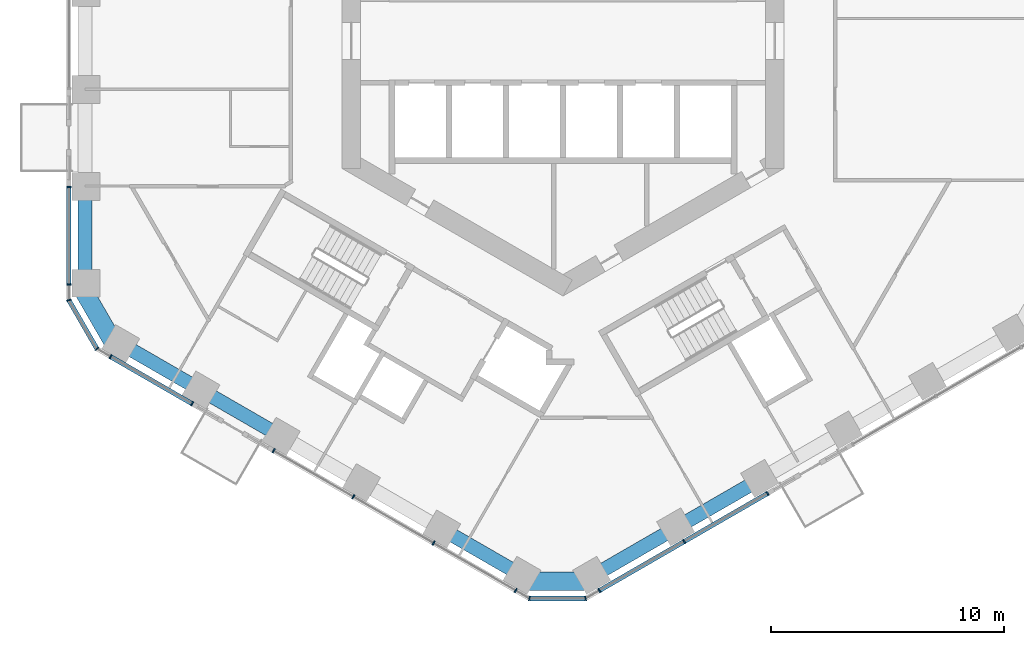
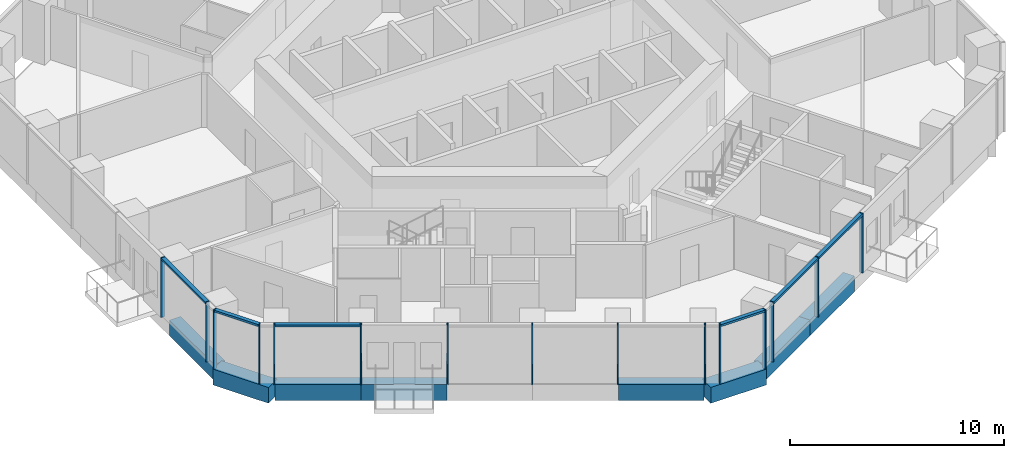
# One storey, part 2 of 19: 20 members, 8 beams, 6 elements without a shape of their own.
"""IFC4 building model written with IfcOpenShell, lengths in metres."""

from ifc_helpers import new_model, si_unit, direction, frame, origin, origin_2d, place, context, subcontext, project, spatial, rectangle, extrude, material, layer, layer_set, material_profile, profile_set, type_object, element, aggregate, save


model = new_model("IFC4")

# Units and contexts
model_context = context("Model", 3, precision=1e-05, world=origin(), true_north=direction((0.0, 1.0)))
body_context = subcontext(model_context, "Body", "Model", "MODEL_VIEW")
ifc_project = project(units=[si_unit("LENGTHUNIT", "METRE"), si_unit("AREAUNIT", "SQUARE_METRE"), si_unit("VOLUMEUNIT", "CUBIC_METRE"), si_unit("PLANEANGLEUNIT", "RADIAN"), si_unit("MASSUNIT", "GRAM", prefix="KILO")], contexts=[model_context])

# Site, building, storey
site_placement = place(None, origin())
site = spatial("IfcSite", under=ifc_project, at=site_placement, CompositionType="ELEMENT")
building_placement = place(site_placement, origin())
building = spatial("IfcBuilding", under=site, at=building_placement, Name="Ayvan Gate Tower", CompositionType="ELEMENT")
storey_placement = place(building_placement, frame((0.0, 0.0, 39.10009765625)))
storey = spatial("IfcBuildingStorey", under=building, at=storey_placement, Name="L09", CompositionType="ELEMENT", Elevation=39.10009765625)

# Beams
ifc_material_1 = material(Name="Concrete C40/50", Category="concrete")
ifc_material_profile_1 = material_profile(ifc_material_1, rectangle(XDim=0.800048828125, YDim=0.89990234375, at=origin_2d()), Name="RC 800x900")
ifc_profile_set_1 = profile_set([ifc_material_profile_1], Name="Concrete C40/50")
beam_type_1 = type_object("IfcBeamType", Name="Corner spandrel beam RC 800x900 C40/50", PredefinedType="BEAM", material=ifc_profile_set_1)
for number, where, z_axis, x_axis, name in (
    (1, (-20.751708984375, -10.5068359375, -0.800048828125), (0.499990139034, -0.866031096941, 0.0), (0.866031096941, 0.499990139034, 0.0), "SB-L09-24"),
    (2, (-1.723388671875, -23.22509765625, -0.800048828125), (1.0, 0.0, 0.0), (0.0, 1.0, 0.0), "SB-L09-30"),
):
    element("IfcBeam", number, at=place(storey_placement, frame(where, z_axis=z_axis, x_axis=x_axis)), inside=storey, type_object=beam_type_1, Name=name, PredefinedType="BEAM", context=body_context, shape_type="SweptSolid", body=[
        extrude(rectangle(XDim=0.800048828125, YDim=0.89990234375, at=origin_2d()), origin(), (0.0, 0.0, 1.0), 3.0),
    ])
ifc_material_profile_2 = material_profile(ifc_material_1, rectangle(XDim=0.60009765625, YDim=0.89990234375, at=origin_2d()), Name="RC 600x900")
ifc_profile_set_2 = profile_set([ifc_material_profile_2], Name="Concrete C40/50")
beam_type_2 = type_object("IfcBeamType", Name="Spandrel beam RC 600x900 C40/50", PredefinedType="BEAM", material=ifc_profile_set_2)
beam_1_placement = place(storey_placement, frame((-20.561279296875, -6.23828125, -0.800048828125), z_axis=(0.0, -1.0, 0.0), x_axis=(1.0, 0.0, 0.0)))
element("IfcBeam", 3, at=beam_1_placement, inside=storey, type_object=beam_type_2, Name="SB-L09-23", PredefinedType="BEAM", context=body_context, shape_type="SweptSolid", body=[
    extrude(rectangle(XDim=0.60009765625, YDim=0.89990234375, at=origin_2d()), origin(), (0.0, 0.0, 1.0), 4.15869140625),
])
beam_2_placement = place(storey_placement, frame((-19.061279296875, -12.9951171875, -0.800048828125), z_axis=(0.866028199139, -0.499995158272, 0.0), x_axis=(0.499995158272, 0.866028199139, 0.0)))
element("IfcBeam", 4, at=beam_2_placement, inside=storey, type_object=beam_type_2, Name="SB-L09-25", PredefinedType="BEAM", context=body_context, shape_type="SweptSolid", body=[
    extrude(rectangle(XDim=0.60009765625, YDim=0.89990234375, at=origin_2d()), origin(), (0.0, 0.0, 1.0), 4.00390625),
])
beam_3_placement = place(storey_placement, frame((-15.59375, -14.9970703125, -0.800048828125), z_axis=(0.866043441391, -0.499968756647, 0.0), x_axis=(0.499968756647, 0.866043441391, 0.0)))
element("IfcBeam", 5, at=beam_3_placement, inside=storey, type_object=beam_type_2, Name="SB-L09-26", PredefinedType="BEAM", context=body_context, shape_type="SweptSolid", body=[
    extrude(rectangle(XDim=0.60009765625, YDim=0.89990234375, at=origin_2d()), origin(), (0.0, 0.0, 1.0), 4.004150390625),
])
beam_4_placement = place(storey_placement, frame((-5.19091796875, -21.0029296875, -0.800048828125), z_axis=(0.866028199139, -0.499995158272, 0.0), x_axis=(0.499995158272, 0.866028199139, 0.0)))
element("IfcBeam", 6, at=beam_4_placement, inside=storey, type_object=beam_type_2, Name="SB-L09-29", PredefinedType="BEAM", context=body_context, shape_type="SweptSolid", body=[
    extrude(rectangle(XDim=0.60009765625, YDim=0.89990234375, at=origin_2d()), origin(), (0.0, 0.0, 1.0), 4.00390625),
])
for number, where, z_axis, x_axis, name in (
    (7, (1.276611328125, -23.0048828125, -0.800048828125), (0.866027212972, 0.499996866383, 0.0), (-0.499996866383, 0.866027212972, 0.0), "SB-L09-31"),
    (8, (4.878173828125, -20.925537109375, -0.800048828125), (0.866027212972, 0.499996866383, 0.0), (-0.499996866383, 0.866027212972, 0.0), "SB-L09-32"),
):
    element("IfcBeam", number, at=place(storey_placement, frame(where, z_axis=z_axis, x_axis=x_axis)), inside=storey, type_object=beam_type_2, Name=name, PredefinedType="BEAM", context=body_context, shape_type="SweptSolid", body=[
        extrude(rectangle(XDim=0.60009765625, YDim=0.89990234375, at=origin_2d()), origin(), (0.0, 0.0, 1.0), 4.15869140625),
    ])

# Curtain wall, members
ifc_material_2 = material(Name="Bronze anodised aluminium", Category="aluminium")
ifc_layer_1 = layer(ifc_material_2, 0.199951171875)
ifc_layer_set_1 = layer_set([ifc_layer_1], Name="Bronze anodised aluminium")
curtain_wall_type_1 = type_object("IfcCurtainWallType", Name="Stick curtain wall CW-1", PredefinedType="NOTDEFINED", material=ifc_layer_set_1)
curtain_wall_1_placement = place(storey_placement, origin())
curtain_wall_1 = element("IfcCurtainWall", 9, at=curtain_wall_1_placement, inside=storey, type_object=curtain_wall_type_1, Name="Stick curtain wall CW-1 L09", PredefinedType="NOTDEFINED")
ifc_material_profile_3 = material_profile(ifc_material_2, rectangle(XDim=0.199951171875, YDim=0.06005859375, at=origin_2d()), Name="Stick curtain wall CW-1 mullion 200 x 60")
ifc_profile_set_3 = profile_set([ifc_material_profile_3], Name="Bronze anodised aluminium")
member_type_1 = type_object("IfcMemberType", Name="Stick curtain wall CW-1 mullion 200 x 60", PredefinedType="MULLION", material=ifc_profile_set_3)
member_1_placement = place(storey_placement, frame((-21.247314453125, -6.282958984375, 0.0), z_axis=(0.0, 0.0, 1.0), x_axis=(-1.0, 0.0, 0.0)))
member_1 = element("IfcMember", 10, at=member_1_placement, type_object=member_type_1, Name="CW-1 mullion 1", PredefinedType="MULLION", context=body_context, shape_type="SweptSolid", body=[
    extrude(rectangle(XDim=0.199951171875, YDim=0.06005859375, at=origin_2d()), origin(), (0.0, 0.0, 1.0), 3.39990234375),
])
member_2_placement = place(storey_placement, frame((-21.247314453125, -10.467041015625, 0.0), z_axis=(0.0, 0.0, 1.0), x_axis=(-1.0, 0.0, 0.0)))
member_2 = element("IfcMember", 11, at=member_2_placement, type_object=member_type_1, Name="CW-1 mullion 2", PredefinedType="MULLION", context=body_context, shape_type="SweptSolid", body=[
    extrude(rectangle(XDim=0.199951171875, YDim=0.06005859375, at=origin_2d()), origin(), (0.0, 0.0, 1.0), 3.39990234375),
])

curtain_wall_2_placement = place(storey_placement, origin())
curtain_wall_2 = element("IfcCurtainWall", 12, at=curtain_wall_2_placement, inside=storey, type_object=curtain_wall_type_1, Name="Stick curtain wall CW-1 L09", PredefinedType="NOTDEFINED")
member_3_placement = place(storey_placement, frame((-19.451171875, -13.578125, 0.0), z_axis=(0.0, 0.0, 1.0), x_axis=(-0.5, -0.866025403784, 0.0)))
member_3 = element("IfcMember", 13, at=member_3_placement, type_object=member_type_1, Name="CW-1 mullion 1", PredefinedType="MULLION", context=body_context, shape_type="SweptSolid", body=[
    extrude(rectangle(XDim=0.199951171875, YDim=0.06005859375, at=origin_2d()), origin(), (0.0, 0.0, 1.0), 3.39990234375),
])
member_4_placement = place(storey_placement, frame((-15.943603515625, -15.603271484375, 0.0), z_axis=(0.0, 0.0, 1.0), x_axis=(-0.5, -0.866025403784, 0.0)))
member_4 = element("IfcMember", 14, at=member_4_placement, type_object=member_type_1, Name="CW-1 mullion 2", PredefinedType="MULLION", context=body_context, shape_type="SweptSolid", body=[
    extrude(rectangle(XDim=0.199951171875, YDim=0.06005859375, at=origin_2d()), origin(), (0.0, 0.0, 1.0), 3.39990234375),
])

curtain_wall_3_placement = place(storey_placement, origin())
curtain_wall_3 = element("IfcCurtainWall", 15, at=curtain_wall_3_placement, inside=storey, type_object=curtain_wall_type_1, Name="Stick curtain wall CW-1 L09", PredefinedType="NOTDEFINED")
member_5_placement = place(storey_placement, frame((-12.44140625, -17.625244140625, 0.0), z_axis=(0.0, 0.0, 1.0), x_axis=(-0.5, -0.866025403784, 0.0)))
member_5 = element("IfcMember", 16, at=member_5_placement, type_object=member_type_1, Name="CW-1 mullion 1", PredefinedType="MULLION", context=body_context, shape_type="SweptSolid", body=[
    extrude(rectangle(XDim=0.199951171875, YDim=0.06005859375, at=origin_2d()), origin(), (0.0, 0.0, 1.0), 3.39990234375),
])
member_6_placement = place(storey_placement, frame((-9.01708984375, -19.602294921875, 0.0), z_axis=(0.0, 0.0, 1.0), x_axis=(-0.5, -0.866025403784, 0.0)))
member_6 = element("IfcMember", 17, at=member_6_placement, type_object=member_type_1, Name="CW-1 mullion 2", PredefinedType="MULLION", context=body_context, shape_type="SweptSolid", body=[
    extrude(rectangle(XDim=0.199951171875, YDim=0.06005859375, at=origin_2d()), origin(), (0.0, 0.0, 1.0), 3.39990234375),
])
member_7_placement = place(storey_placement, frame((-5.56689453125, -21.59423828125, 0.0), z_axis=(0.0, 0.0, 1.0), x_axis=(-0.5, -0.866025403784, 0.0)))
member_7 = element("IfcMember", 18, at=member_7_placement, type_object=member_type_1, Name="CW-1 mullion 3", PredefinedType="MULLION", context=body_context, shape_type="SweptSolid", body=[
    extrude(rectangle(XDim=0.199951171875, YDim=0.06005859375, at=origin_2d()), origin(), (0.0, 0.0, 1.0), 3.39990234375),
])
member_8_placement = place(storey_placement, frame((-2.033447265625, -23.63427734375, 0.0), z_axis=(0.0, 0.0, 1.0), x_axis=(-0.5, -0.866025403784, 0.0)))
member_8 = element("IfcMember", 19, at=member_8_placement, type_object=member_type_1, Name="CW-1 mullion 4", PredefinedType="MULLION", context=body_context, shape_type="SweptSolid", body=[
    extrude(rectangle(XDim=0.199951171875, YDim=0.06005859375, at=origin_2d()), origin(), (0.0, 0.0, 1.0), 3.39990234375),
])
aggregate(curtain_wall_3, [member_5, member_6, member_7, member_8])

curtain_wall_4_placement = place(storey_placement, origin())
curtain_wall_4 = element("IfcCurtainWall", 20, at=curtain_wall_4_placement, inside=storey, type_object=curtain_wall_type_1, Name="Stick curtain wall CW-1 L09", PredefinedType="NOTDEFINED")
member_9_placement = place(storey_placement, frame((1.558837890625, -23.63427734375, 0.0), z_axis=(0.0, 0.0, 1.0), x_axis=(0.5, -0.866025403784, 0.0)))
member_9 = element("IfcMember", 21, at=member_9_placement, type_object=member_type_1, Name="CW-1 mullion 1", PredefinedType="MULLION", context=body_context, shape_type="SweptSolid", body=[
    extrude(rectangle(XDim=0.199951171875, YDim=0.06005859375, at=origin_2d()), origin(), (0.0, 0.0, 1.0), 3.39990234375),
])
member_10_placement = place(storey_placement, frame((5.208251953125, -21.527099609375, 0.0), z_axis=(0.0, 0.0, 1.0), x_axis=(0.5, -0.866025403784, 0.0)))
member_10 = element("IfcMember", 22, at=member_10_placement, type_object=member_type_1, Name="CW-1 mullion 2", PredefinedType="MULLION", context=body_context, shape_type="SweptSolid", body=[
    extrude(rectangle(XDim=0.199951171875, YDim=0.06005859375, at=origin_2d()), origin(), (0.0, 0.0, 1.0), 3.39990234375),
])
member_11_placement = place(storey_placement, frame((8.792724609375, -19.457763671875, 0.0), z_axis=(0.0, 0.0, 1.0), x_axis=(0.5, -0.866025403784, 0.0)))
member_11 = element("IfcMember", 23, at=member_11_placement, type_object=member_type_1, Name="CW-1 mullion 3", PredefinedType="MULLION", context=body_context, shape_type="SweptSolid", body=[
    extrude(rectangle(XDim=0.199951171875, YDim=0.06005859375, at=origin_2d()), origin(), (0.0, 0.0, 1.0), 3.39990234375),
])

# Member
ifc_material_profile_4 = material_profile(ifc_material_2, rectangle(XDim=0.199951171875, YDim=0.1201171875, at=origin_2d()), Name="Stick curtain wall CW-1 transom 200 x 120")
ifc_profile_set_4 = profile_set([ifc_material_profile_4], Name="Bronze anodised aluminium")
member_type_2 = type_object("IfcMemberType", Name="Stick curtain wall CW-1 transom 200 x 120", PredefinedType="USERDEFINED", material=ifc_profile_set_4)
member_12_placement = place(storey_placement, frame((-21.247314453125, -6.282958984375, 3.33984375), z_axis=(0.0, -1.0, 0.0), x_axis=(1.0, 0.0, 0.0)))
member_12 = element("IfcMember", 24, at=member_12_placement, type_object=member_type_2, Name="CW-1 transom 1", ObjectType="TRANSOM", PredefinedType="USERDEFINED", context=body_context, shape_type="SweptSolid", body=[
    extrude(rectangle(XDim=0.199951171875, YDim=0.1201171875, at=origin_2d()), origin(), (0.0, 0.0, 1.0), 4.18408203125),
])

aggregate(curtain_wall_1, [member_1, member_2, member_12])

member_13_placement = place(storey_placement, frame((-19.451171875, -13.578125, 3.33984375), z_axis=(0.866019956843, -0.50000943426, 0.0), x_axis=(0.50000943426, 0.866019956843, 0.0)))
member_13 = element("IfcMember", 25, at=member_13_placement, type_object=member_type_2, Name="CW-1 transom 1", ObjectType="TRANSOM", PredefinedType="USERDEFINED", context=body_context, shape_type="SweptSolid", body=[
    extrude(rectangle(XDim=0.199951171875, YDim=0.1201171875, at=origin_2d()), origin(), (0.0, 0.0, 1.0), 4.05029296875),
])

aggregate(curtain_wall_2, [member_3, member_4, member_13])

member_14_placement = place(storey_placement, frame((1.558837890625, -23.63427734375, 3.33984375), z_axis=(0.866023992326, 0.500002444709, 0.0), x_axis=(-0.500002444709, 0.866023992326, 0.0)))
member_14 = element("IfcMember", 26, at=member_14_placement, type_object=member_type_2, Name="CW-1 transom 1", ObjectType="TRANSOM", PredefinedType="USERDEFINED", context=body_context, shape_type="SweptSolid", body=[
    extrude(rectangle(XDim=0.199951171875, YDim=0.1201171875, at=origin_2d()), origin(), (0.0, 0.0, 1.0), 8.35302734375),
])

aggregate(curtain_wall_4, [member_9, member_10, member_11, member_14])

# Curtain wall, members
ifc_layer_2 = layer(ifc_material_2, 0.199951171875)
ifc_layer_set_2 = layer_set([ifc_layer_2], Name="Bronze anodised aluminium")
curtain_wall_type_2 = type_object("IfcCurtainWallType", Name="Stick curtain wall CW-6", PredefinedType="NOTDEFINED", material=ifc_layer_set_2)
curtain_wall_5_placement = place(storey_placement, origin())
curtain_wall_5 = element("IfcCurtainWall", 27, at=curtain_wall_5_placement, inside=storey, type_object=curtain_wall_type_2, Name="Stick curtain wall CW-6 L09", PredefinedType="NOTDEFINED")
ifc_material_profile_5 = material_profile(ifc_material_2, rectangle(XDim=0.199951171875, YDim=0.050048828125, at=origin_2d()), Name="Stick curtain wall CW-6 mullion 200 x 50")
ifc_profile_set_5 = profile_set([ifc_material_profile_5], Name="Bronze anodised aluminium")
member_type_3 = type_object("IfcMemberType", Name="Stick curtain wall CW-6 mullion 200 x 50", PredefinedType="MULLION", material=ifc_profile_set_5)
member_15_placement = place(storey_placement, frame((-21.247314453125, -11.147216796875, 0.0), z_axis=(0.0, 0.0, 1.0), x_axis=(-0.965925826289, -0.258819045103, 0.0)))
member_15 = element("IfcMember", 28, at=member_15_placement, type_object=member_type_3, Name="CW-6 mullion 2", PredefinedType="MULLION", context=body_context, shape_type="SweptSolid", body=[
    extrude(rectangle(XDim=0.199951171875, YDim=0.050048828125, at=origin_2d()), origin(), (0.0, 0.0, 1.0), 3.39990234375),
])
member_16_placement = place(storey_placement, frame((-20.0400390625, -13.23828125, 0.0), z_axis=(0.0, 0.0, 1.0), x_axis=(-0.707106781187, -0.707106781187, 0.0)))
member_16 = element("IfcMember", 29, at=member_16_placement, type_object=member_type_3, Name="CW-6 mullion 3", PredefinedType="MULLION", context=body_context, shape_type="SweptSolid", body=[
    extrude(rectangle(XDim=0.199951171875, YDim=0.050048828125, at=origin_2d()), origin(), (0.0, 0.0, 1.0), 3.39990234375),
])

curtain_wall_6_placement = place(storey_placement, origin())
curtain_wall_6 = element("IfcCurtainWall", 30, at=curtain_wall_6_placement, inside=storey, type_object=curtain_wall_type_2, Name="Stick curtain wall CW-6 L09", PredefinedType="NOTDEFINED")
member_17_placement = place(storey_placement, frame((-1.444580078125, -23.97412109375, 0.0), z_axis=(0.0, 0.0, 1.0), x_axis=(-0.258819045103, -0.965925826289, 0.0)))
member_17 = element("IfcMember", 31, at=member_17_placement, type_object=member_type_3, Name="CW-6 mullion 2", PredefinedType="MULLION", context=body_context, shape_type="SweptSolid", body=[
    extrude(rectangle(XDim=0.199951171875, YDim=0.050048828125, at=origin_2d()), origin(), (0.0, 0.0, 1.0), 3.39990234375),
])
member_18_placement = place(storey_placement, frame((0.969970703125, -23.97412109375, 0.0), z_axis=(0.0, 0.0, 1.0), x_axis=(0.258819045103, -0.965925826289, 0.0)))
member_18 = element("IfcMember", 32, at=member_18_placement, type_object=member_type_3, Name="CW-6 mullion 3", PredefinedType="MULLION", context=body_context, shape_type="SweptSolid", body=[
    extrude(rectangle(XDim=0.199951171875, YDim=0.050048828125, at=origin_2d()), origin(), (0.0, 0.0, 1.0), 3.39990234375),
])

# Member
ifc_material_profile_6 = material_profile(ifc_material_2, rectangle(XDim=0.199951171875, YDim=0.1201171875, at=origin_2d()), Name="Stick curtain wall CW-6 transom 200 x 120")
ifc_profile_set_6 = profile_set([ifc_material_profile_6], Name="Bronze anodised aluminium")
member_type_4 = type_object("IfcMemberType", Name="Stick curtain wall CW-6 transom 200 x 120", PredefinedType="USERDEFINED", material=ifc_profile_set_6)
member_19_placement = place(storey_placement, frame((-21.234619140625, -11.168701171875, 3.33984375), z_axis=(0.499936960004, -0.866061796884, 0.0), x_axis=(0.866061796884, 0.499936960004, 0.0)))
member_19 = element("IfcMember", 33, at=member_19_placement, type_object=member_type_4, Name="CW-6 transom 2", ObjectType="TRANSOM", PredefinedType="USERDEFINED", context=body_context, shape_type="SweptSolid", body=[
    extrude(rectangle(XDim=0.199951171875, YDim=0.1201171875, at=origin_2d()), origin(), (0.0, 0.0, 1.0), 2.364501953125),
])

aggregate(curtain_wall_5, [member_15, member_16, member_19])

member_20_placement = place(storey_placement, frame((-1.419677734375, -23.97412109375, 3.33984375), z_axis=(1.0, 0.0, 0.0), x_axis=(0.0, 1.0, 0.0)))
member_20 = element("IfcMember", 34, at=member_20_placement, type_object=member_type_4, Name="CW-6 transom 2", ObjectType="TRANSOM", PredefinedType="USERDEFINED", context=body_context, shape_type="SweptSolid", body=[
    extrude(rectangle(XDim=0.199951171875, YDim=0.1201171875, at=origin_2d()), origin(), (0.0, 0.0, 1.0), 2.364501953125),
])

aggregate(curtain_wall_6, [member_17, member_18, member_20])

save(model, "model.ifc")
